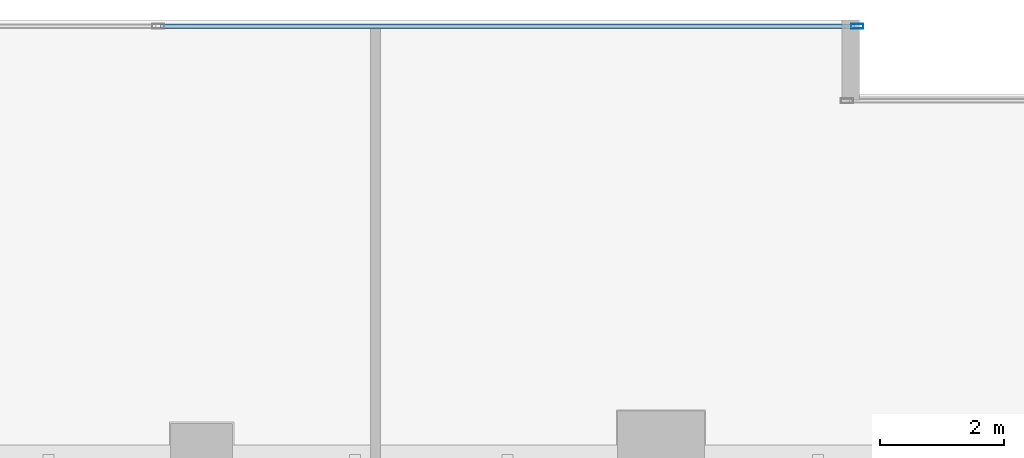
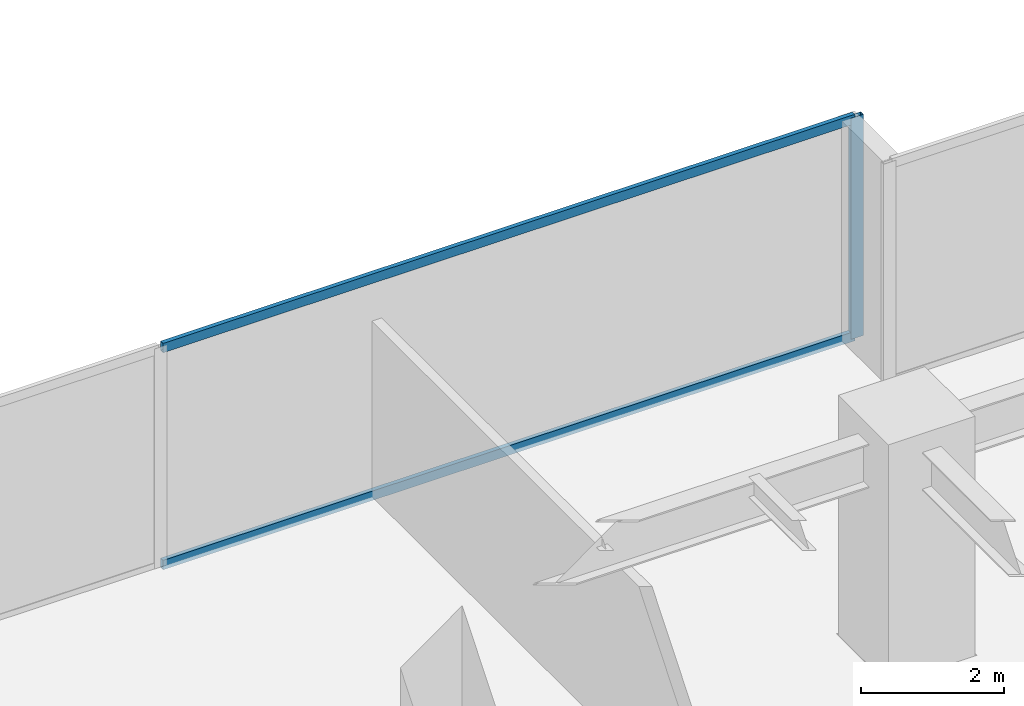
# One storey, part 16 of 37: 3 members, 1 element without a shape of its own.
"""IFC4 building model written with IfcOpenShell, lengths in metres."""

from ifc_helpers import new_model, si_unit, direction, frame, origin, origin_2d, place, context, subcontext, project, spatial, hollow_rectangle, extrude, source, transform, mapped, material, layer, layer_set, material_profile, profile_set, type_object, type_shapes, element, aggregate, save


model = new_model("IFC4")

# Units and contexts
model_context = context("Model", 3, precision=1e-05, world=origin(), true_north=direction((0.0, 1.0)))
body_context = subcontext(model_context, "Body", "Model", "MODEL_VIEW")
ifc_project = project(units=[si_unit("LENGTHUNIT", "METRE"), si_unit("AREAUNIT", "SQUARE_METRE"), si_unit("VOLUMEUNIT", "CUBIC_METRE"), si_unit("PLANEANGLEUNIT", "RADIAN"), si_unit("MASSUNIT", "GRAM", prefix="KILO")], contexts=[model_context])

# Site, building, storey
site_placement = place(None, origin())
site = spatial("IfcSite", under=ifc_project, at=site_placement, CompositionType="ELEMENT")
building_placement = place(site_placement, origin())
building = spatial("IfcBuilding", under=site, at=building_placement, Name="Haelvirn Gate Laboratories", CompositionType="ELEMENT")
storey_placement = place(building_placement, frame((0.0, 0.0, 78.5)))
storey = spatial("IfcBuildingStorey", under=building, at=storey_placement, Name="L19", CompositionType="ELEMENT", Elevation=78.5)

# Curtain wall, members
ifc_material_1 = material(Name="Anodised bronze unitised aluminium & triple low-E glass", Category="aluminium")
ifc_layer = layer(ifc_material_1, 0.18408203125, Name="CW-SYS-2")
ifc_layer_set = layer_set([ifc_layer], Name="Anodised bronze unitised aluminium & triple low-E glass")
curtain_wall_type = type_object("IfcCurtainWallType", Name="CW-SYS-2", PredefinedType="NOTDEFINED", material=ifc_layer_set)
curtain_wall_placement = place(storey_placement, origin())
curtain_wall = element("IfcCurtainWall", 1, at=curtain_wall_placement, inside=storey, type_object=curtain_wall_type, Name="L19 Unitised Curtain Wall CW-L19-P0-E14-1", PredefinedType="NOTDEFINED")
ifc_material_2 = material(Name="Extruded aluminium 6063-T6 (anodised bronze)", Category="aluminium")
ifc_material_profile_1 = material_profile(ifc_material_2, hollow_rectangle(XDim=0.074951171875, YDim=0.199951171875, WallThickness=0.0048828125, at=origin_2d()), Name="CWM-200x75x5")
ifc_profile_set_1 = profile_set([ifc_material_profile_1], Name="Extruded aluminium 6063-T6 (anodised bronze)")
member_type_1 = type_object("IfcMemberType", Name="CWM-T200", PredefinedType="MULLION", material=ifc_profile_set_1)
shared_shape_1 = source(origin(), body_context, "Body", "SweptSolid", [
    extrude(hollow_rectangle(XDim=0.074951171875, YDim=0.199951171875, WallThickness=0.0048828125, at=origin_2d()), origin(), (0.0, 0.0, 1.0), 3.780029296875),
])
type_shapes(member_type_1, [shared_shape_1])
member_1_placement = place(storey_placement, frame((25.362548828125, 48.5, 0.0), z_axis=(0.0, 0.0, 1.0), x_axis=(0.0, 1.0, 0.0)))
member_1 = element("IfcMember", 2, at=member_1_placement, type_object=member_type_1, Name="CW2 mullion 3", PredefinedType="MULLION", context=body_context, shape_type="MappedRepresentation", body=[
    mapped(shared_shape_1, transform((0.0, 0.0, 0.0), scale=1.0)),
])
ifc_material_profile_2 = material_profile(ifc_material_2, hollow_rectangle(XDim=0.070068359375, YDim=0.159912109375, WallThickness=0.0048828125, at=origin_2d()), Name="CWT-160x70x5")
ifc_profile_set_2 = profile_set([ifc_material_profile_2], Name="Extruded aluminium 6063-T6 (anodised bronze)")
member_type_2 = type_object("IfcMemberType", Name="CWT-T160", PredefinedType="USERDEFINED", material=ifc_profile_set_2)
shared_shape_2 = source(origin(), body_context, "Body", "SweptSolid", [
    extrude(hollow_rectangle(XDim=0.070068359375, YDim=0.159912109375, WallThickness=0.0048828125, at=origin_2d()), origin(), (0.0, 0.0, 1.0), 11.1875),
])
type_shapes(member_type_2, [shared_shape_2])
member_2_placement = place(storey_placement, frame((14.137451171875, 48.5, 0.034912109375), z_axis=(1.0, 0.0, 0.0), x_axis=(0.0, 1.0, 0.0)))
member_2 = element("IfcMember", 3, at=member_2_placement, type_object=member_type_2, Name="CW2 transom 2.1", ObjectType="TRANSOM", PredefinedType="USERDEFINED", context=body_context, shape_type="MappedRepresentation", body=[
    mapped(shared_shape_2, transform((0.0, 0.0, 0.0), scale=1.0)),
])
member_3_placement = place(storey_placement, frame((14.137451171875, 48.5, 3.7451171875), z_axis=(1.0, 0.0, 0.0), x_axis=(0.0, 1.0, 0.0)))
member_3 = element("IfcMember", 4, at=member_3_placement, type_object=member_type_2, Name="CW2 transom 2.2", ObjectType="TRANSOM", PredefinedType="USERDEFINED", context=body_context, shape_type="MappedRepresentation", body=[
    mapped(shared_shape_2, transform((0.0, 0.0, 0.0), scale=1.0)),
])
aggregate(curtain_wall, [member_1, member_2, member_3])

save(model, "model.ifc")
